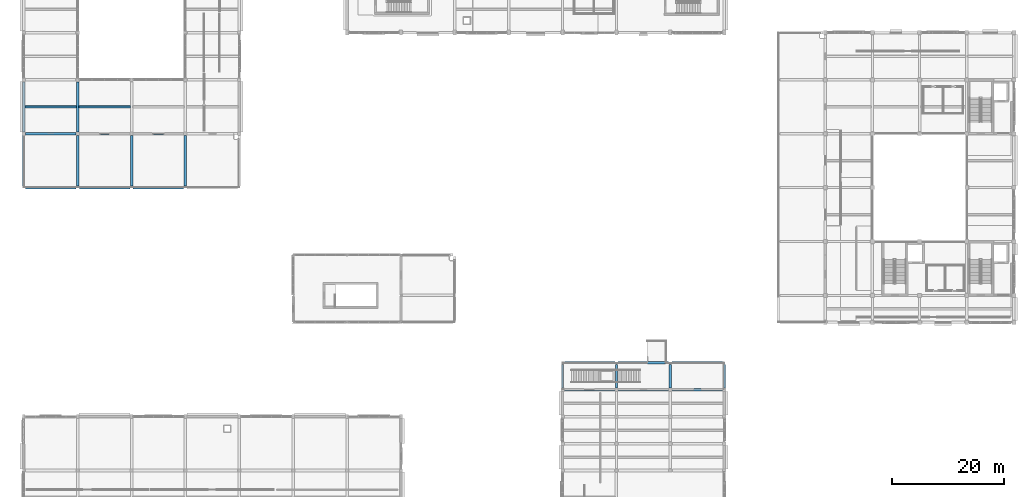
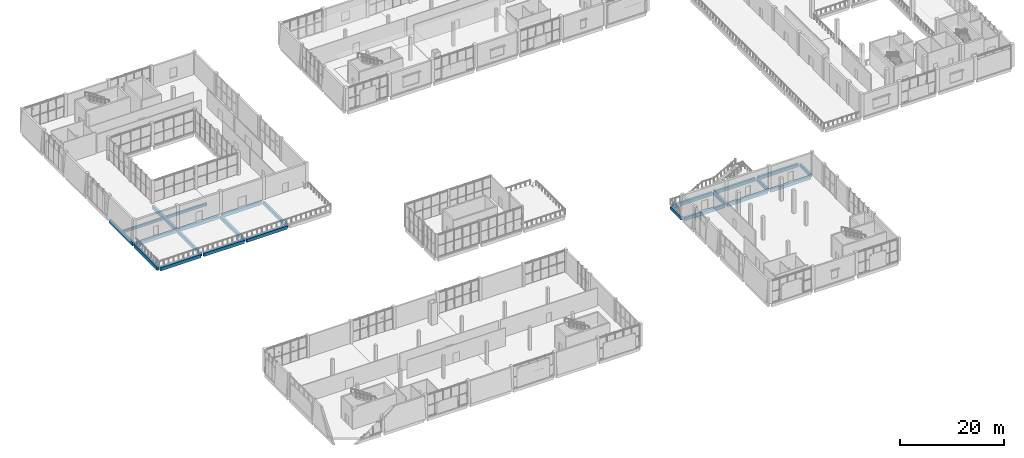
# One storey, part 20 of 83: 24 beams.
"""IFC4 building model written with IfcOpenShell, lengths in metres."""

from ifc_helpers import new_model, si_unit, direction, frame, origin, origin_2d, place, context, subcontext, project, spatial, rectangle, extrude, material, material_profile, profile_set, type_object, element, save


model = new_model("IFC4")

# Units and contexts
model_context = context("Model", 3, precision=1e-05, world=origin(), true_north=direction((0.0, 1.0)))
body_context = subcontext(model_context, "Body", "Model", "MODEL_VIEW")
ifc_project = project(units=[si_unit("LENGTHUNIT", "METRE"), si_unit("AREAUNIT", "SQUARE_METRE"), si_unit("VOLUMEUNIT", "CUBIC_METRE"), si_unit("PLANEANGLEUNIT", "RADIAN"), si_unit("MASSUNIT", "GRAM", prefix="KILO")], contexts=[model_context])

# Site, building, storey
site_placement = place(None, origin())
site = spatial("IfcSite", under=ifc_project, at=site_placement, CompositionType="ELEMENT")
building_placement = place(site_placement, origin())
building = spatial("IfcBuilding", under=site, at=building_placement, Name="Shalvenor Court Art Gallery", CompositionType="ELEMENT")
storey_placement = place(building_placement, frame((0.0, 0.0, 6.0)))
storey = spatial("IfcBuildingStorey", under=building, at=storey_placement, Name="L01", CompositionType="ELEMENT", Elevation=6.0)

# Beams
ifc_material_1 = material(Name="Concrete C40/50", Category="concrete")
ifc_material_profile_1 = material_profile(ifc_material_1, rectangle(XDim=0.449951171875, YDim=0.800048828125, at=origin_2d()), Name="RC 450x800")
ifc_profile_set_1 = profile_set([ifc_material_profile_1], Name="Concrete C40/50")
beam_type_1 = type_object("IfcBeamType", Name="B-03", PredefinedType="BEAM", material=ifc_profile_set_1)
beam_1_placement = place(storey_placement, frame((0.0, 69.89990234375, -0.719970703125), z_axis=(0.0, 1.0, 0.0), x_axis=(-1.0, 0.0, 0.0)))
element("IfcBeam", 1, at=beam_1_placement, inside=storey, type_object=beam_type_1, Name="L01 Girder BM-L01-B-03-0360", PredefinedType="BEAM", context=body_context, shape_type="SweptSolid", body=[
    extrude(rectangle(XDim=0.449951171875, YDim=0.800048828125, at=origin_2d()), origin(), (0.0, 0.0, 1.0), 9.0),
])
beam_2_placement = place(storey_placement, frame((0.0, 79.5, -0.719970703125), z_axis=(0.0, 1.0, 0.0), x_axis=(-1.0, 0.0, 0.0)))
element("IfcBeam", 2, at=beam_2_placement, inside=storey, type_object=beam_type_1, Name="L01 Girder BM-L01-B-03-0361", PredefinedType="BEAM", context=body_context, shape_type="SweptSolid", body=[
    extrude(rectangle(XDim=0.449951171875, YDim=0.800048828125, at=origin_2d()), origin(), (0.0, 0.0, 1.0), 8.949951171875),
])
beam_3_placement = place(storey_placement, frame((9.60009765625, 69.89990234375, -0.719970703125), z_axis=(0.0, 1.0, 0.0), x_axis=(-1.0, 0.0, 0.0)))
element("IfcBeam", 3, at=beam_3_placement, inside=storey, type_object=beam_type_1, Name="L01 Girder BM-L01-B-03-0368", PredefinedType="BEAM", context=body_context, shape_type="SweptSolid", body=[
    extrude(rectangle(XDim=0.449951171875, YDim=0.800048828125, at=origin_2d()), origin(), (0.0, 0.0, 1.0), 9.0),
])
beam_4_placement = place(storey_placement, frame((9.60009765625, 79.5, -0.719970703125), z_axis=(0.0, 1.0, 0.0), x_axis=(-1.0, 0.0, 0.0)))
element("IfcBeam", 4, at=beam_4_placement, inside=storey, type_object=beam_type_1, Name="L01 Girder BM-L01-B-03-0369", PredefinedType="BEAM", context=body_context, shape_type="SweptSolid", body=[
    extrude(rectangle(XDim=0.449951171875, YDim=0.800048828125, at=origin_2d()), origin(), (0.0, 0.0, 1.0), 8.949951171875),
])
for number, where, z_axis, x_axis, name in (
    (5, (19.199951171875, 69.89990234375, -0.719970703125), (0.0, 1.0, 0.0), (-1.0, 0.0, 0.0), "L01 Girder BM-L01-B-03-0377"),
    (6, (28.800048828125, 69.89990234375, -0.719970703125), (0.0, 1.0, 0.0), (-1.0, 0.0, 0.0), "L01 Girder BM-L01-B-03-0382"),
):
    element("IfcBeam", number, at=place(storey_placement, frame(where, z_axis=z_axis, x_axis=x_axis)), inside=storey, type_object=beam_type_1, Name=name, PredefinedType="BEAM", context=body_context, shape_type="SweptSolid", body=[
        extrude(rectangle(XDim=0.449951171875, YDim=0.800048828125, at=origin_2d()), origin(), (0.0, 0.0, 1.0), 9.0),
    ])
ifc_material_2 = material(Name="Concrete C40/50", Category="concrete")
ifc_material_profile_2 = material_profile(ifc_material_2, rectangle(XDim=0.449951171875, YDim=0.75, at=origin_2d()), Name="RC 450x750")
ifc_profile_set_2 = profile_set([ifc_material_profile_2], Name="Concrete C40/50")
beam_type_2 = type_object("IfcBeamType", Name="B-04", PredefinedType="BEAM", material=ifc_profile_set_2)
for number, where, z_axis, x_axis, name in (
    (7, (96.300048828125, 33.60009765625, -0.695068359375), (1.0, 0.0, 0.0), (0.0, 1.0, 0.0), "L01 Girder BM-L01-B-04-0528"),
    (8, (105.89990234375, 33.60009765625, -0.695068359375), (1.0, 0.0, 0.0), (0.0, 1.0, 0.0), "L01 Girder BM-L01-B-04-0529"),
    (9, (115.5, 33.60009765625, -0.695068359375), (1.0, 0.0, 0.0), (0.0, 1.0, 0.0), "L01 Girder BM-L01-B-04-0530"),
    (10, (96.300048828125, 38.39990234375, -0.695068359375), (1.0, 0.0, 0.0), (0.0, 1.0, 0.0), "L01 Girder BM-L01-B-04-0531"),
    (11, (105.89990234375, 38.39990234375, -0.695068359375), (1.0, 0.0, 0.0), (0.0, 1.0, 0.0), "L01 Girder BM-L01-B-04-0532"),
    (12, (115.5, 38.39990234375, -0.695068359375), (1.0, 0.0, 0.0), (0.0, 1.0, 0.0), "L01 Girder BM-L01-B-04-0533"),
    (13, (0.300048828125, 69.60009765625, -0.695068359375), (1.0, 0.0, 0.0), (0.0, 1.0, 0.0), "L01 Girder BM-L01-B-04-0556"),
    (14, (9.89990234375, 69.60009765625, -0.695068359375), (1.0, 0.0, 0.0), (0.0, 1.0, 0.0), "L01 Girder BM-L01-B-04-0557"),
    (15, (19.5, 69.60009765625, -0.695068359375), (1.0, 0.0, 0.0), (0.0, 1.0, 0.0), "L01 Girder BM-L01-B-04-0558"),
    (16, (0.300048828125, 79.199951171875, -0.695068359375), (1.0, 0.0, 0.0), (0.0, 1.0, 0.0), "L01 Girder BM-L01-B-04-0563"),
    (17, (9.89990234375, 79.199951171875, -0.695068359375), (1.0, 0.0, 0.0), (0.0, 1.0, 0.0), "L01 Girder BM-L01-B-04-0564"),
    (18, (19.5, 79.199951171875, -0.695068359375), (1.0, 0.0, 0.0), (0.0, 1.0, 0.0), "L01 Girder BM-L01-B-04-0565"),
):
    element("IfcBeam", number, at=place(storey_placement, frame(where, z_axis=z_axis, x_axis=x_axis)), inside=storey, type_object=beam_type_2, Name=name, PredefinedType="BEAM", context=body_context, shape_type="SweptSolid", body=[
        extrude(rectangle(XDim=0.449951171875, YDim=0.75, at=origin_2d()), origin(), (0.0, 0.0, 1.0), 9.0),
    ])
ifc_material_3 = material(Name="Concrete C40/50", Category="concrete")
ifc_material_profile_3 = material_profile(ifc_material_3, rectangle(XDim=0.39990234375, YDim=0.699951171875, at=origin_2d()), Name="RC 400x700")
ifc_profile_set_3 = profile_set([ifc_material_profile_3], Name="Concrete C40/50")
beam_type_3 = type_object("IfcBeamType", Name="B-05", PredefinedType="BEAM", material=ifc_profile_set_3)
for number, where, z_axis, x_axis, name in (
    (19, (96.0, 33.89990234375, -0.669921875), (0.0, 1.0, 0.0), (-1.0, 0.0, 0.0), "L01 Girder BM-L01-B-05-0427"),
    (20, (105.60009765625, 33.89990234375, -0.669921875), (0.0, 1.0, 0.0), (-1.0, 0.0, 0.0), "L01 Girder BM-L01-B-05-0436"),
    (21, (115.199951171875, 33.89990234375, -0.669921875), (0.0, 1.0, 0.0), (-1.0, 0.0, 0.0), "L01 Girder BM-L01-B-05-0443"),
    (22, (124.800048828125, 33.89990234375, -0.669921875), (0.0, 1.0, 0.0), (-1.0, 0.0, 0.0), "L01 Girder BM-L01-B-05-0450"),
):
    element("IfcBeam", number, at=place(storey_placement, frame(where, z_axis=z_axis, x_axis=x_axis)), inside=storey, type_object=beam_type_3, Name=name, PredefinedType="BEAM", context=body_context, shape_type="SweptSolid", body=[
        extrude(rectangle(XDim=0.39990234375, YDim=0.699951171875, at=origin_2d()), origin(), (0.0, 0.0, 1.0), 4.2001953125),
    ])
ifc_material_4 = material(Name="Concrete C40/50", Category="concrete")
ifc_material_profile_4 = material_profile(ifc_material_4, rectangle(XDim=0.35009765625, YDim=0.60009765625, at=origin_2d()), Name="RC 350x600")
ifc_profile_set_4 = profile_set([ifc_material_profile_4], Name="Concrete C40/50")
beam_type_4 = type_object("IfcBeamType", Name="J-01", PredefinedType="JOIST", material=ifc_profile_set_4)
beam_5_placement = place(storey_placement, frame((0.22509765625, 84.0, -0.6201171875), z_axis=(1.0, 0.0, 0.0), x_axis=(0.0, 1.0, 0.0)))
element("IfcBeam", 23, at=beam_5_placement, inside=storey, type_object=beam_type_4, Name="L01 Secondary Beam JST-L01-J-01-0625", PredefinedType="JOIST", context=body_context, shape_type="SweptSolid", body=[
    extrude(rectangle(XDim=0.35009765625, YDim=0.60009765625, at=origin_2d()), origin(), (0.0, 0.0, 1.0), 9.14990234375),
])
beam_6_placement = place(storey_placement, frame((9.824951171875, 84.0, -0.6201171875), z_axis=(1.0, 0.0, 0.0), x_axis=(0.0, 1.0, 0.0)))
element("IfcBeam", 24, at=beam_6_placement, inside=storey, type_object=beam_type_4, Name="L01 Secondary Beam JST-L01-J-01-0631", PredefinedType="JOIST", context=body_context, shape_type="SweptSolid", body=[
    extrude(rectangle(XDim=0.35009765625, YDim=0.60009765625, at=origin_2d()), origin(), (0.0, 0.0, 1.0), 9.150146484375),
])

save(model, "model.ifc")
